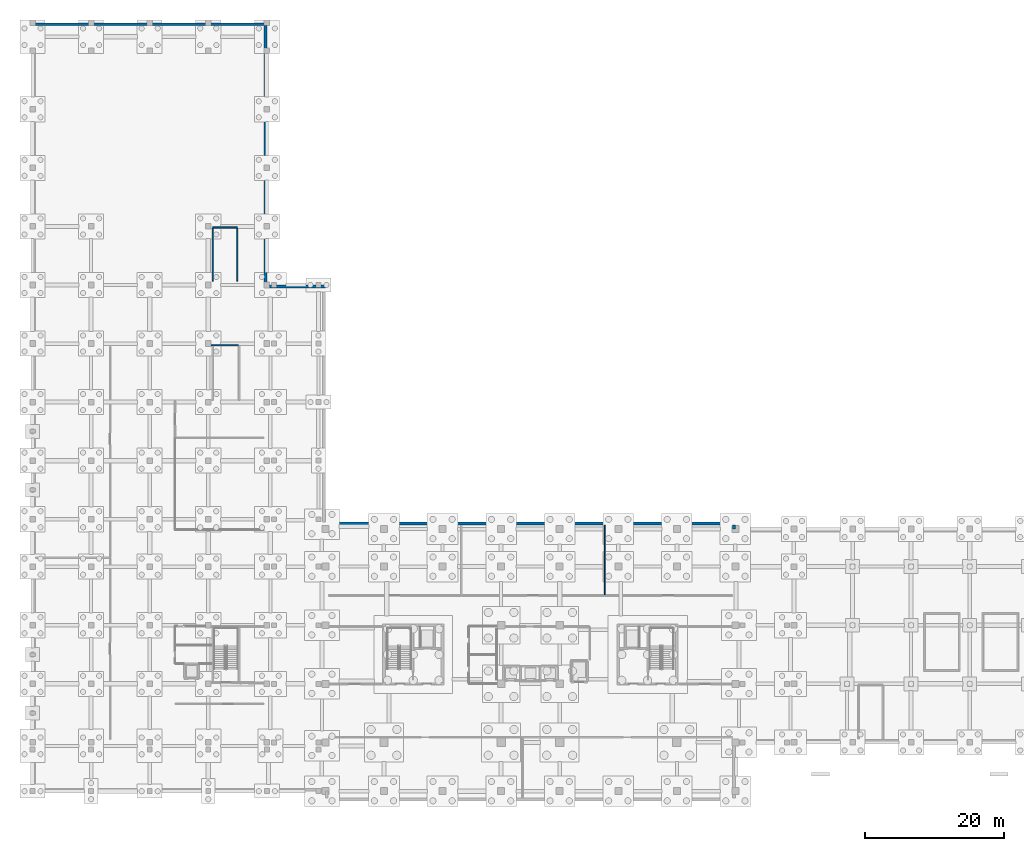
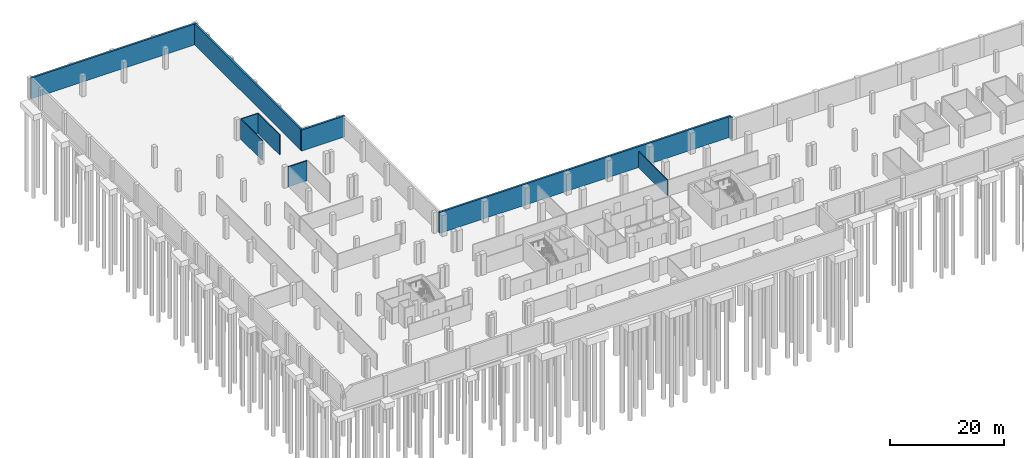
# One storey, part 13 of 17: 10 walls.
"""IFC4 building model written with IfcOpenShell, lengths in metres."""

from ifc_helpers import new_model, si_unit, direction, frame, frame_2d, origin, place, context, subcontext, project, spatial, rectangle, extrude, material, layer, layer_set, type_object, element, save


model = new_model("IFC4")

# Units and contexts
model_context = context("Model", 3, precision=1e-05, world=origin(), true_north=direction((0.0, 1.0)))
body_context = subcontext(model_context, "Body", "Model", "MODEL_VIEW")
ifc_project = project(units=[si_unit("LENGTHUNIT", "METRE"), si_unit("AREAUNIT", "SQUARE_METRE"), si_unit("VOLUMEUNIT", "CUBIC_METRE"), si_unit("PLANEANGLEUNIT", "RADIAN"), si_unit("MASSUNIT", "GRAM", prefix="KILO")], contexts=[model_context])

# Site, building, storey
site_placement = place(None, origin())
site = spatial("IfcSite", under=ifc_project, at=site_placement, CompositionType="ELEMENT")
building_placement = place(site_placement, origin())
building = spatial("IfcBuilding", under=site, at=building_placement, Name="Telukmera Botanical Conservatory", CompositionType="ELEMENT")
storey_placement = place(building_placement, frame((0.0, 0.0, -4.5)))
storey = spatial("IfcBuildingStorey", under=building, at=storey_placement, Name="B1", CompositionType="ELEMENT", Elevation=-4.5)

# Walls
ifc_material_1 = material(Name="Blockwork masonry", Category="masonry")
ifc_layer_1 = layer(ifc_material_1, 0.169921875)
ifc_layer_set_1 = layer_set([ifc_layer_1], Name="Blockwork masonry")
wall_type_1 = type_object("IfcWallType", Name="WT-PLANT-170", PredefinedType="PARTITIONING", material=ifc_layer_set_1)
wall_1_placement = place(storey_placement, frame((90.47509765625, 38.77001953125, 0.0), z_axis=(0.0, 0.0, 1.0), x_axis=(0.0, 1.0, 0.0)))
element("IfcWall", 1, at=wall_1_placement, inside=storey, type_object=wall_type_1, Name="B1 Interior Partition 34", PredefinedType="PARTITIONING", context=body_context, shape_type="SweptSolid", body=[
    extrude(rectangle(XDim=9.97998046875, YDim=0.169921875, at=frame_2d((4.989990234375, 0.0))), origin(), (0.0, 0.0, 1.0), 3.449951171875),
])
ifc_material_2 = material(Name="Concrete C40/50", Category="concrete")
ifc_layer_2 = layer(ifc_material_2, 0.18994140625)
ifc_layer_set_2 = layer_set([ifc_layer_2], Name="Concrete C40/50")
wall_type_2 = type_object("IfcWallType", Name="WT-STAIR-190", PredefinedType="SOLIDWALL", material=ifc_layer_set_2)
wall_2_placement = place(storey_placement, frame((34.0, 74.56005859375, 0.0), z_axis=(0.0, 0.0, 1.0), x_axis=(1.0, 0.0, 0.0)))
element("IfcWall", 2, at=wall_2_placement, inside=storey, type_object=wall_type_2, Name="B1 Stair ST4 Substructure North Wall", PredefinedType="SOLIDWALL", context=body_context, shape_type="SweptSolid", body=[
    extrude(rectangle(XDim=3.929931640625, YDim=0.18994140625, at=frame_2d((1.96484375, 0.0))), origin(), (0.0, 0.0, 1.0), 4.300048828125),
])
wall_3_placement = place(storey_placement, frame((34.25, 91.419921875, 0.0), z_axis=(0.0, 0.0, 1.0), x_axis=(1.0, 0.0, 0.0)))
element("IfcWall", 3, at=wall_3_placement, inside=storey, type_object=wall_type_2, Name="B1 Stair ST6 Substructure North Wall", PredefinedType="SOLIDWALL", context=body_context, shape_type="SweptSolid", body=[
    extrude(rectangle(XDim=3.5, YDim=0.18994140625, at=frame_2d((1.75, 0.0))), origin(), (0.0, 0.0, 1.0), 4.300048828125),
])
for number, where, z_axis, x_axis, name in (
    (4, (34.25, 83.739990234375, 0.0), (0.0, 0.0, 1.0), (0.0, 1.0, 0.0), "B1 Stair ST6 Substructure W Wall"),
    (5, (37.75, 83.739990234375, 0.0), (0.0, 0.0, 1.0), (0.0, 1.0, 0.0), "B1 Stair ST6 Substructure E Wall"),
):
    element("IfcWall", number, at=place(storey_placement, frame(where, z_axis=z_axis, x_axis=x_axis)), inside=storey, type_object=wall_type_2, Name=name, PredefinedType="SOLIDWALL", context=body_context, shape_type="SweptSolid", body=[
        extrude(rectangle(XDim=7.580078125, YDim=0.18994140625, at=frame_2d((3.7900390625, 0.0))), origin(), (0.0, 0.0, 1.0), 4.300048828125),
    ])
ifc_layer_3 = layer(ifc_material_2, 0.39990234375)
ifc_layer_set_3 = layer_set([ifc_layer_3], Name="Concrete C40/50")
wall_type_3 = type_object("IfcWallType", Name="Wall_RW1", PredefinedType="USERDEFINED", material=ifc_layer_set_3)
wall_4_placement = place(storey_placement, frame((109.0, 48.199951171875, 0.0), z_axis=(0.0, 0.0, 1.0), x_axis=(0.0, 1.0, 0.0)))
element("IfcWall", 6, at=wall_4_placement, inside=storey, type_object=wall_type_3, Name="Basement Perimeter Retaining Wall RW1-10", ObjectType="RETAININGWALL", PredefinedType="USERDEFINED", context=body_context, shape_type="SweptSolid", body=[
    extrude(rectangle(XDim=0.60009765625, YDim=0.39990234375, at=frame_2d((0.300048828125, 0.0))), origin(), (0.0, 0.0, 1.0), 4.5),
])
wall_5_placement = place(storey_placement, frame((109.199951171875, 49.0, 0.0), z_axis=(0.0, 0.0, 1.0), x_axis=(-1.0, 0.0, 0.0)))
element("IfcWall", 7, at=wall_5_placement, inside=storey, type_object=wall_type_3, Name="Basement Perimeter Retaining Wall RW1-11", ObjectType="RETAININGWALL", PredefinedType="USERDEFINED", context=body_context, shape_type="SweptSolid", body=[
    extrude(rectangle(XDim=59.199951171875, YDim=0.39990234375, at=frame_2d((29.60009765625, 0.0))), origin(), (0.0, 0.0, 1.0), 4.5),
])
wall_6_placement = place(storey_placement, frame((50.39990234375, 83.0, 0.0), z_axis=(0.0, 0.0, 1.0), x_axis=(-1.0, 0.0, 0.0)))
element("IfcWall", 8, at=wall_6_placement, inside=storey, type_object=wall_type_3, Name="Basement Perimeter Retaining Wall RW1-13", ObjectType="RETAININGWALL", PredefinedType="USERDEFINED", context=body_context, shape_type="SweptSolid", body=[
    extrude(rectangle(XDim=8.7998046875, YDim=0.39990234375, at=frame_2d((4.39990234375, 0.0))), origin(), (0.0, 0.0, 1.0), 4.5),
])
wall_7_placement = place(storey_placement, frame((41.800048828125, 83.199951171875, 0.0), z_axis=(0.0, 0.0, 1.0), x_axis=(0.0, 1.0, 0.0)))
element("IfcWall", 9, at=wall_7_placement, inside=storey, type_object=wall_type_3, Name="Basement Perimeter Retaining Wall RW1-14", ObjectType="RETAININGWALL", PredefinedType="USERDEFINED", context=body_context, shape_type="SweptSolid", body=[
    extrude(rectangle(XDim=37.199951171875, YDim=0.39990234375, at=frame_2d((18.60009765625, 0.0))), origin(), (0.0, 0.0, 1.0), 4.5),
])
wall_8_placement = place(storey_placement, frame((42.0, 120.60009765625, 0.0), z_axis=(0.0, 0.0, 1.0), x_axis=(-1.0, 0.0, 0.0)))
element("IfcWall", 10, at=wall_8_placement, inside=storey, type_object=wall_type_3, Name="Basement Perimeter Retaining Wall RW1-15", ObjectType="RETAININGWALL", PredefinedType="USERDEFINED", context=body_context, shape_type="SweptSolid", body=[
    extrude(rectangle(XDim=33.60009765625, YDim=0.39990234375, at=frame_2d((16.800048828125, 0.0))), origin(), (0.0, 0.0, 1.0), 4.5),
])

save(model, "model.ifc")
